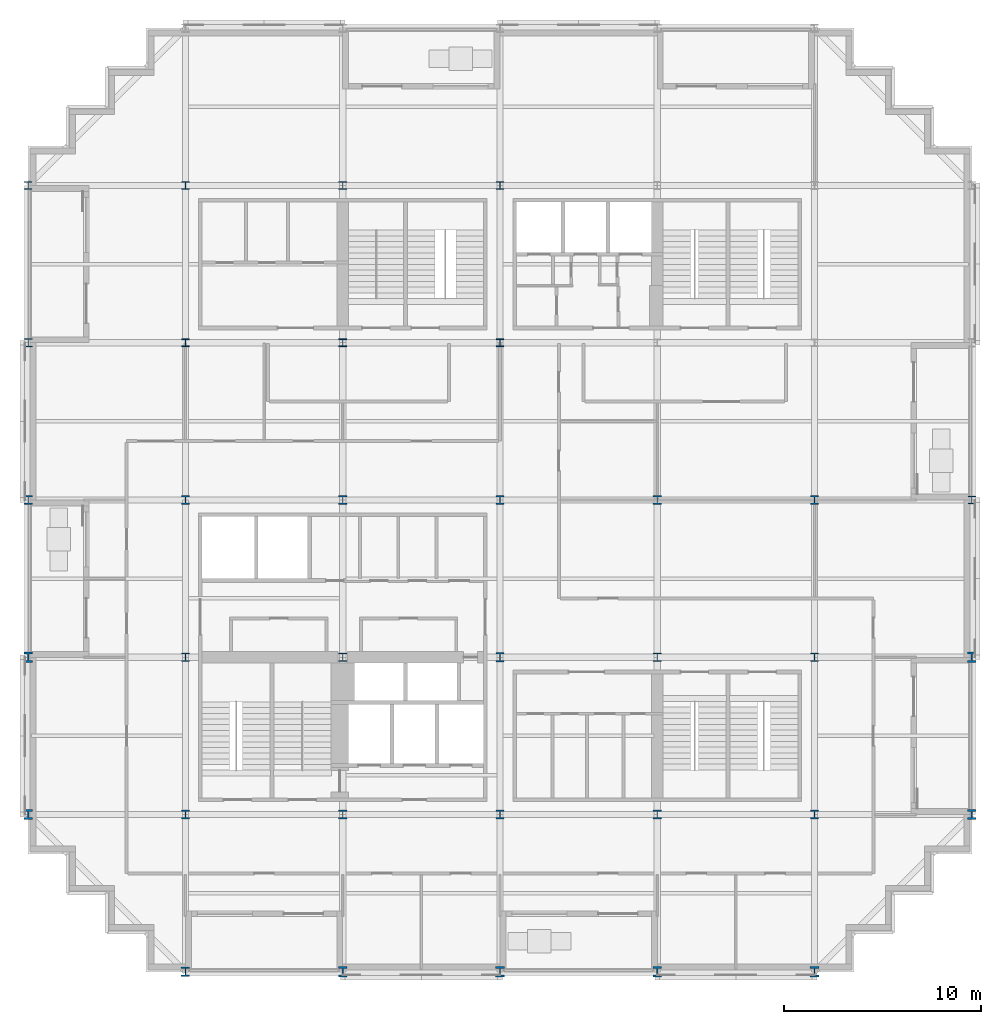
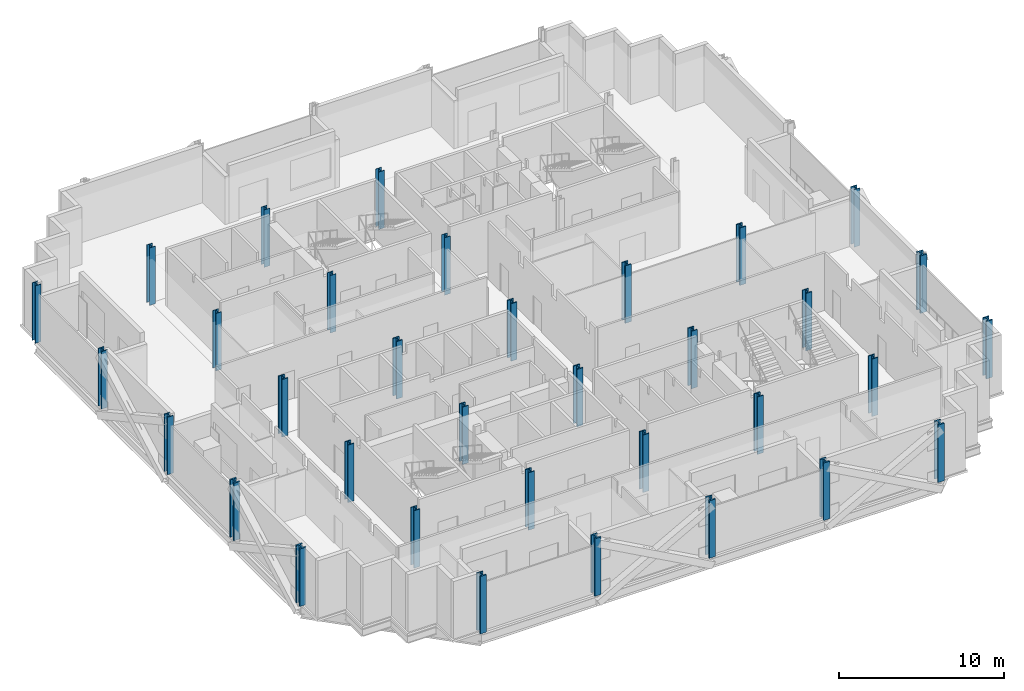
# One storey, part 1 of 14: 34 columns.
"""IFC4 building model written with IfcOpenShell, lengths in metres."""

from ifc_helpers import new_model, si_unit, direction, frame, origin, origin_2d, place, context, subcontext, project, spatial, i_section, extrude, material, material_profile, profile_set, type_object, element, save


model = new_model("IFC4")

# Units and contexts
model_context = context("Model", 3, precision=1e-05, world=origin(), true_north=direction((0.0, 1.0)))
body_context = subcontext(model_context, "Body", "Model", "MODEL_VIEW")
ifc_project = project(units=[si_unit("LENGTHUNIT", "METRE"), si_unit("AREAUNIT", "SQUARE_METRE"), si_unit("VOLUMEUNIT", "CUBIC_METRE"), si_unit("PLANEANGLEUNIT", "RADIAN"), si_unit("MASSUNIT", "GRAM", prefix="KILO")], contexts=[model_context])

# Site, building, storey
site_placement = place(None, origin())
site = spatial("IfcSite", under=ifc_project, at=site_placement, CompositionType="ELEMENT")
building_placement = place(site_placement, origin())
building = spatial("IfcBuilding", under=site, at=building_placement, Name="Immortelle Media Tower", CompositionType="ELEMENT")
storey_placement = place(building_placement, frame((0.0, 0.0, 48.0)))
storey = spatial("IfcBuildingStorey", under=building, at=storey_placement, Name="L07", CompositionType="ELEMENT", Elevation=48.0)

# Columns
ifc_material = material(Name="Steel ASTM A992 Gr 50", Category="steel")
ifc_material_profile_1 = material_profile(ifc_material, i_section(OverallWidth=0.39892578125, OverallDepth=0.385986328125, WebThickness=0.02099609375, FlangeThickness=0.032958984375, at=origin_2d()), Name="W14x176")
ifc_profile_set_1 = profile_set([ifc_material_profile_1], Name="Steel ASTM A992 Gr 50")
column_type_1 = type_object("IfcColumnType", Name="W14x176 column", PredefinedType="COLUMN", material=ifc_profile_set_1)
for number, where, z_axis, x_axis, name in (
    (1, (8.0, 32.0, 0.0), (0.0, 0.0, 1.0), (1.0, 0.0, 0.0), "Column 2/E"),
    (2, (8.0, 40.0, 0.0), (0.0, 0.0, 1.0), (1.0, 0.0, 0.0), "Column 2/F"),
    (3, (16.0, 32.0, 0.0), (0.0, 0.0, 1.0), (1.0, 0.0, 0.0), "Column 3/E"),
    (4, (16.0, 40.0, 0.0), (0.0, 0.0, 1.0), (1.0, 0.0, 0.0), "Column 3/F"),
):
    element("IfcColumn", number, at=place(storey_placement, frame(where, z_axis=z_axis, x_axis=x_axis)), inside=storey, type_object=column_type_1, Name=name, PredefinedType="COLUMN", context=body_context, shape_type="SweptSolid", body=[
        extrude(i_section(OverallWidth=0.39892578125, OverallDepth=0.385986328125, WebThickness=0.02099609375, FlangeThickness=0.032958984375, at=origin_2d()), origin(), (0.0, 0.0, 1.0), 4.25),
    ])
ifc_material_profile_2 = material_profile(ifc_material, i_section(OverallWidth=0.40087890625, OverallDepth=0.39892578125, WebThickness=0.02490234375, FlangeThickness=0.0400390625, at=origin_2d()), Name="W14x211")
ifc_profile_set_2 = profile_set([ifc_material_profile_2], Name="Steel ASTM A992 Gr 50")
column_type_2 = type_object("IfcColumnType", Name="W14x211 column", PredefinedType="COLUMN", material=ifc_profile_set_2)
for number, where, z_axis, x_axis, name in (
    (5, (24.0, 32.0, 0.0), (0.0, 0.0, 1.0), (1.0, 0.0, 0.0), "Column 4/E"),
    (6, (24.0, 40.0, 0.0), (0.0, 0.0, 1.0), (1.0, 0.0, 0.0), "Column 4/F"),
):
    element("IfcColumn", number, at=place(storey_placement, frame(where, z_axis=z_axis, x_axis=x_axis)), inside=storey, type_object=column_type_2, Name=name, PredefinedType="COLUMN", context=body_context, shape_type="SweptSolid", body=[
        extrude(i_section(OverallWidth=0.40087890625, OverallDepth=0.39892578125, WebThickness=0.02490234375, FlangeThickness=0.0400390625, at=origin_2d()), origin(), (0.0, 0.0, 1.0), 4.25),
    ])
ifc_material_profile_3 = material_profile(ifc_material, i_section(OverallWidth=0.406005859375, OverallDepth=0.4169921875, WebThickness=0.030029296875, FlangeThickness=0.048095703125, at=origin_2d()), Name="W14x257")
ifc_profile_set_3 = profile_set([ifc_material_profile_3], Name="Steel ASTM A992 Gr 50")
column_type_3 = type_object("IfcColumnType", Name="W14x257 column", PredefinedType="COLUMN", material=ifc_profile_set_3)
for number, where, z_axis, x_axis, name in (
    (7, (0.0, 40.0, 0.0), (0.0, 0.0, 1.0), (1.0, 0.0, 0.0), "Column 1/F"),
    (8, (48.0, 24.0, 0.0), (0.0, 0.0, 1.0), (1.0, 0.0, 0.0), "Column 7/D"),
):
    element("IfcColumn", number, at=place(storey_placement, frame(where, z_axis=z_axis, x_axis=x_axis)), inside=storey, type_object=column_type_3, Name=name, PredefinedType="COLUMN", context=body_context, shape_type="SweptSolid", body=[
        extrude(i_section(OverallWidth=0.406005859375, OverallDepth=0.4169921875, WebThickness=0.030029296875, FlangeThickness=0.048095703125, at=origin_2d()), origin(), (0.0, 0.0, 1.0), 4.25),
    ])
ifc_material_profile_4 = material_profile(ifc_material, i_section(OverallWidth=0.410888671875, OverallDepth=0.43408203125, WebThickness=0.035888671875, FlangeThickness=0.056884765625, at=origin_2d()), Name="W14x311")
ifc_profile_set_4 = profile_set([ifc_material_profile_4], Name="Steel ASTM A992 Gr 50")
column_type_4 = type_object("IfcColumnType", Name="W14x311 column", PredefinedType="COLUMN", material=ifc_profile_set_4)
for number, where, z_axis, x_axis, name in (
    (9, (0.0, 24.0, 0.0), (0.0, 0.0, 1.0), (1.0, 0.0, 0.0), "Column 1/D"),
    (10, (0.0, 32.0, 0.0), (0.0, 0.0, 1.0), (1.0, 0.0, 0.0), "Column 1/E"),
):
    element("IfcColumn", number, at=place(storey_placement, frame(where, z_axis=z_axis, x_axis=x_axis)), inside=storey, type_object=column_type_4, Name=name, PredefinedType="COLUMN", context=body_context, shape_type="SweptSolid", body=[
        extrude(i_section(OverallWidth=0.410888671875, OverallDepth=0.43408203125, WebThickness=0.035888671875, FlangeThickness=0.056884765625, at=origin_2d()), origin(), (0.0, 0.0, 1.0), 4.25),
    ])
ifc_material_profile_5 = material_profile(ifc_material, i_section(OverallWidth=0.4189453125, OverallDepth=0.455078125, WebThickness=0.0419921875, FlangeThickness=0.068115234375, at=origin_2d()), Name="W14x370")
ifc_profile_set_5 = profile_set([ifc_material_profile_5], Name="Steel ASTM A992 Gr 50")
column_type_5 = type_object("IfcColumnType", Name="W14x370 column", PredefinedType="COLUMN", material=ifc_profile_set_5)
for number, where, z_axis, x_axis, name in (
    (11, (8.0, 8.0, 0.0), (0.0, 0.0, 1.0), (1.0, 0.0, 0.0), "Column 2/B"),
    (12, (8.0, 16.0, 0.0), (0.0, 0.0, 1.0), (1.0, 0.0, 0.0), "Column 2/C"),
    (13, (16.0, 8.0, 0.0), (0.0, 0.0, 1.0), (1.0, 0.0, 0.0), "Column 3/B"),
    (14, (16.0, 16.0, 0.0), (0.0, 0.0, 1.0), (1.0, 0.0, 0.0), "Column 3/C"),
    (15, (32.0, 8.0, 0.0), (0.0, 0.0, 1.0), (1.0, 0.0, 0.0), "Column 5/B"),
    (16, (32.0, 16.0, 0.0), (0.0, 0.0, 1.0), (1.0, 0.0, 0.0), "Column 5/C"),
    (17, (40.0, 8.0, 0.0), (0.0, 0.0, 1.0), (1.0, 0.0, 0.0), "Column 6/B"),
    (18, (40.0, 16.0, 0.0), (0.0, 0.0, 1.0), (1.0, 0.0, 0.0), "Column 6/C"),
):
    element("IfcColumn", number, at=place(storey_placement, frame(where, z_axis=z_axis, x_axis=x_axis)), inside=storey, type_object=column_type_5, Name=name, PredefinedType="COLUMN", context=body_context, shape_type="SweptSolid", body=[
        extrude(i_section(OverallWidth=0.4189453125, OverallDepth=0.455078125, WebThickness=0.0419921875, FlangeThickness=0.068115234375, at=origin_2d()), origin(), (0.0, 0.0, 1.0), 4.25),
    ])
ifc_material_profile_6 = material_profile(ifc_material, i_section(OverallWidth=0.424072265625, OverallDepth=0.47509765625, WebThickness=0.048095703125, FlangeThickness=0.076904296875, at=origin_2d()), Name="W14x426")
ifc_profile_set_6 = profile_set([ifc_material_profile_6], Name="Steel ASTM A992 Gr 50")
column_type_6 = type_object("IfcColumnType", Name="W14x426 column", PredefinedType="COLUMN", material=ifc_profile_set_6)
for number, where, z_axis, x_axis, name in (
    (19, (8.0, 24.0, 0.0), (0.0, 0.0, 1.0), (1.0, 0.0, 0.0), "Column 2/D"),
    (20, (16.0, 24.0, 0.0), (0.0, 0.0, 1.0), (1.0, 0.0, 0.0), "Column 3/D"),
    (21, (24.0, 8.0, 0.0), (0.0, 0.0, 1.0), (1.0, 0.0, 0.0), "Column 4/B"),
    (22, (24.0, 16.0, 0.0), (0.0, 0.0, 1.0), (1.0, 0.0, 0.0), "Column 4/C"),
    (23, (24.0, 24.0, 0.0), (0.0, 0.0, 1.0), (1.0, 0.0, 0.0), "Column 4/D"),
    (24, (32.0, 24.0, 0.0), (0.0, 0.0, 1.0), (1.0, 0.0, 0.0), "Column 5/D"),
    (25, (40.0, 24.0, 0.0), (0.0, 0.0, 1.0), (1.0, 0.0, 0.0), "Column 6/D"),
):
    element("IfcColumn", number, at=place(storey_placement, frame(where, z_axis=z_axis, x_axis=x_axis)), inside=storey, type_object=column_type_6, Name=name, PredefinedType="COLUMN", context=body_context, shape_type="SweptSolid", body=[
        extrude(i_section(OverallWidth=0.424072265625, OverallDepth=0.47509765625, WebThickness=0.048095703125, FlangeThickness=0.076904296875, at=origin_2d()), origin(), (0.0, 0.0, 1.0), 4.25),
    ])
ifc_material_profile_7 = material_profile(ifc_material, i_section(OverallWidth=0.431884765625, OverallDepth=0.498046875, WebThickness=0.055908203125, FlangeThickness=0.089111328125, at=origin_2d()), Name="W14x500")
ifc_profile_set_7 = profile_set([ifc_material_profile_7], Name="Steel ASTM A992 Gr 50")
column_type_7 = type_object("IfcColumnType", Name="W14x500 column", PredefinedType="COLUMN", material=ifc_profile_set_7)
for number, where, z_axis, x_axis, name in (
    (26, (8.0, 0.0, 0.0), (0.0, 0.0, 1.0), (1.0, 0.0, 0.0), "Column 2/A"),
    (27, (48.0, 8.0, 0.0), (0.0, 0.0, 1.0), (1.0, 0.0, 0.0), "Column 7/B"),
):
    element("IfcColumn", number, at=place(storey_placement, frame(where, z_axis=z_axis, x_axis=x_axis)), inside=storey, type_object=column_type_7, Name=name, PredefinedType="COLUMN", context=body_context, shape_type="SweptSolid", body=[
        extrude(i_section(OverallWidth=0.431884765625, OverallDepth=0.498046875, WebThickness=0.055908203125, FlangeThickness=0.089111328125, at=origin_2d()), origin(), (0.0, 0.0, 1.0), 4.25),
    ])
ifc_material_profile_8 = material_profile(ifc_material, i_section(OverallWidth=0.44189453125, OverallDepth=0.531005859375, WebThickness=0.06591796875, FlangeThickness=0.10595703125, at=origin_2d()), Name="W14x605")
ifc_profile_set_8 = profile_set([ifc_material_profile_8], Name="Steel ASTM A992 Gr 50")
column_type_8 = type_object("IfcColumnType", Name="W14x605 column", PredefinedType="COLUMN", material=ifc_profile_set_8)
for number, where, z_axis, x_axis, name in (
    (28, (0.0, 8.0, 0.0), (0.0, 0.0, 1.0), (1.0, 0.0, 0.0), "Column 1/B"),
    (29, (0.0, 16.0, 0.0), (0.0, 0.0, 1.0), (1.0, 0.0, 0.0), "Column 1/C"),
    (30, (16.0, 0.0, 0.0), (0.0, 0.0, 1.0), (1.0, 0.0, 0.0), "Column 3/A"),
    (31, (24.0, 0.0, 0.0), (0.0, 0.0, 1.0), (1.0, 0.0, 0.0), "Column 4/A"),
    (32, (32.0, 0.0, 0.0), (0.0, 0.0, 1.0), (1.0, 0.0, 0.0), "Column 5/A"),
    (33, (40.0, 0.0, 0.0), (0.0, 0.0, 1.0), (1.0, 0.0, 0.0), "Column 6/A"),
    (34, (48.0, 16.0, 0.0), (0.0, 0.0, 1.0), (1.0, 0.0, 0.0), "Column 7/C"),
):
    element("IfcColumn", number, at=place(storey_placement, frame(where, z_axis=z_axis, x_axis=x_axis)), inside=storey, type_object=column_type_8, Name=name, PredefinedType="COLUMN", context=body_context, shape_type="SweptSolid", body=[
        extrude(i_section(OverallWidth=0.44189453125, OverallDepth=0.531005859375, WebThickness=0.06591796875, FlangeThickness=0.10595703125, at=origin_2d()), origin(), (0.0, 0.0, 1.0), 4.25),
    ])

save(model, "model.ifc")
